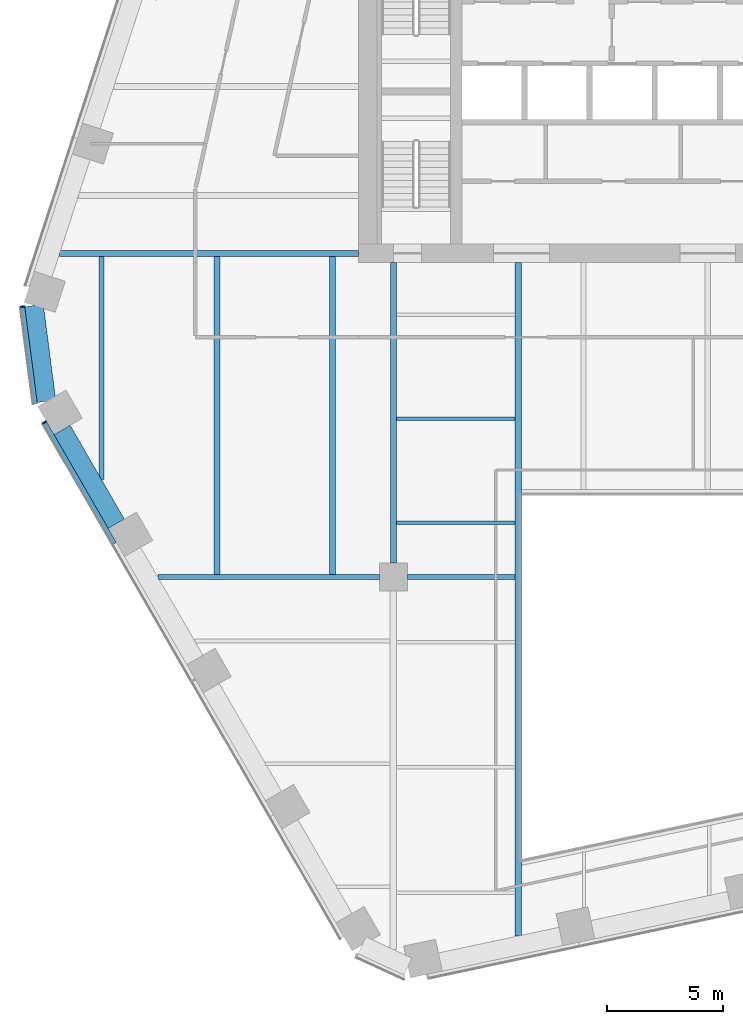
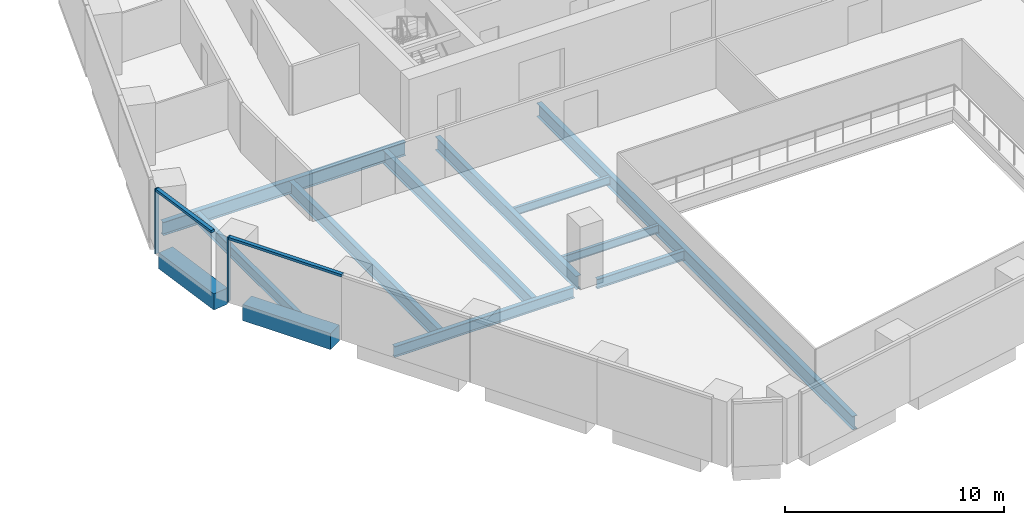
# One storey, part 3 of 16: 12 beams, 4 members, 2 elements without a shape of their own.
"""IFC4 building model written with IfcOpenShell, lengths in metres."""

from ifc_helpers import new_model, si_unit, direction, frame, origin, origin_2d, place, context, subcontext, project, spatial, rectangle, i_section, extrude, material, layer, layer_set, material_profile, profile_set, type_object, element, aggregate, save


model = new_model("IFC4")

# Units and contexts
model_context = context("Model", 3, precision=1e-05, world=origin(), true_north=direction((0.0, 1.0)))
body_context = subcontext(model_context, "Body", "Model", "MODEL_VIEW")
ifc_project = project(units=[si_unit("LENGTHUNIT", "METRE"), si_unit("AREAUNIT", "SQUARE_METRE"), si_unit("VOLUMEUNIT", "CUBIC_METRE"), si_unit("PLANEANGLEUNIT", "RADIAN"), si_unit("MASSUNIT", "GRAM", prefix="KILO")], contexts=[model_context])

# Site, building, storey
site_placement = place(None, origin())
site = spatial("IfcSite", under=ifc_project, at=site_placement, CompositionType="ELEMENT")
building_placement = place(site_placement, origin())
building = spatial("IfcBuilding", under=site, at=building_placement, Name="Isthmus Gate Tower", CompositionType="ELEMENT")
storey_placement = place(building_placement, frame((0.0, 0.0, 140.75)))
storey = spatial("IfcBuildingStorey", under=building, at=storey_placement, Name="L34", CompositionType="ELEMENT", Elevation=140.75)

# Curtain wall, member
ifc_material_1 = material(Name="Aluminium, pale champagne anodised", Category="aluminium")
ifc_layer = layer(ifc_material_1, 0.199951171875)
ifc_layer_set = layer_set([ifc_layer], Name="CW-1 UNITISED CURTAIN WALL 200 DEEP")
curtain_wall_type = type_object("IfcCurtainWallType", Name="CW-1 UNITISED CURTAIN WALL 200 DEEP", PredefinedType="NOTDEFINED", material=ifc_layer_set)
curtain_wall_1_placement = place(storey_placement, origin())
curtain_wall_1 = element("IfcCurtainWall", 1, at=curtain_wall_1_placement, inside=storey, type_object=curtain_wall_type, Name="CW-1 NW-SW L34", PredefinedType="NOTDEFINED")
ifc_material_2 = material(Name="Aluminium, pale champagne anodised", Category="aluminium")
ifc_material_profile_1 = material_profile(ifc_material_2, rectangle(XDim=0.06005859375, YDim=0.199951171875, at=origin_2d()), Name="60x200")
ifc_profile_set_1 = profile_set([ifc_material_profile_1], Name="Aluminium, pale champagne anodised")
member_type_1 = type_object("IfcMemberType", Name="CW-1 MULLION 60 X 200", PredefinedType="MULLION", material=ifc_profile_set_1)
member_1_placement = place(storey_placement, frame((-29.42724609375, -1.88525390625, 0.0), z_axis=(0.0, 0.0, 1.0), x_axis=(0.129164534, -0.991623175988, 0.0)))
member_1 = element("IfcMember", 2, at=member_1_placement, type_object=member_type_1, Name="CW-1 mullion", PredefinedType="MULLION", context=body_context, shape_type="SweptSolid", body=[
    extrude(rectangle(XDim=0.06005859375, YDim=0.199951171875, at=origin_2d()), origin(), (0.0, 0.0, 1.0), 3.64990234375),
])

curtain_wall_2_placement = place(storey_placement, origin())
curtain_wall_2 = element("IfcCurtainWall", 3, at=curtain_wall_2_placement, inside=storey, type_object=curtain_wall_type, Name="CW-1 SW L34", PredefinedType="NOTDEFINED")
member_2_placement = place(storey_placement, frame((-28.489501953125, -6.8544921875, 0.0), z_axis=(0.0, 0.0, 1.0), x_axis=(0.5, -0.866025403784, 0.0)))
member_2 = element("IfcMember", 4, at=member_2_placement, type_object=member_type_1, Name="CW-1 mullion", PredefinedType="MULLION", context=body_context, shape_type="SweptSolid", body=[
    extrude(rectangle(XDim=0.06005859375, YDim=0.199951171875, at=origin_2d()), origin(), (0.0, 0.0, 1.0), 3.64990234375),
])

# Member
ifc_material_3 = material(Name="Aluminium, pale champagne anodised", Category="aluminium")
ifc_material_profile_2 = material_profile(ifc_material_3, rectangle(XDim=0.199951171875, YDim=0.139892578125, at=origin_2d()), Name="200x140")
ifc_profile_set_2 = profile_set([ifc_material_profile_2], Name="Aluminium, pale champagne anodised")
member_type_2 = type_object("IfcMemberType", Name="CW-1 TRANSOM 200 X 140", PredefinedType="USERDEFINED", material=ifc_profile_set_2)
member_3_placement = place(storey_placement, frame((-29.42333984375, -1.9150390625, 3.580078125), z_axis=(0.129149481977, -0.991625136483, 0.0), x_axis=(0.991625136483, 0.129149481977, 0.0)))
member_3 = element("IfcMember", 5, at=member_3_placement, type_object=member_type_2, Name="CW-1 transom", ObjectType="TRANSOM", PredefinedType="USERDEFINED", context=body_context, shape_type="SweptSolid", body=[
    extrude(rectangle(XDim=0.199951171875, YDim=0.139892578125, at=origin_2d()), origin(), (0.0, 0.0, 1.0), 4.181396484375),
])

aggregate(curtain_wall_1, [member_1, member_3])

member_4_placement = place(storey_placement, frame((-28.474609375, -6.880615234375, 3.580078125), z_axis=(0.500014106551, -0.86601725921, 0.0), x_axis=(0.86601725921, 0.500014106551, 0.0)))
member_4 = element("IfcMember", 6, at=member_4_placement, type_object=member_type_2, Name="CW-1 transom", ObjectType="TRANSOM", PredefinedType="USERDEFINED", context=body_context, shape_type="SweptSolid", body=[
    extrude(rectangle(XDim=0.199951171875, YDim=0.139892578125, at=origin_2d()), origin(), (0.0, 0.0, 1.0), 5.989990234375),
])

aggregate(curtain_wall_2, [member_2, member_4])

# Beams
ifc_material_4 = material(Name="Concrete f'c 60 MPa", Category="concrete")
ifc_material_profile_3 = material_profile(ifc_material_4, rectangle(XDim=0.800048828125, YDim=0.89990234375, at=origin_2d()), Name="RC 800X900")
ifc_profile_set_3 = profile_set([ifc_material_profile_3], Name="Concrete f'c 60 MPa")
beam_type_1 = type_object("IfcBeamType", Name="RC SPANDREL 800 X 900", PredefinedType="SPANDREL", material=ifc_profile_set_3)
beam_1_placement = place(storey_placement, frame((-25.396484375, -11.2119140625, -0.449951171875), z_axis=(-0.500023913295, 0.866011596997, 0.0), x_axis=(-0.866011596997, -0.500023913295, 0.0)))
element("IfcBeam", 7, at=beam_1_placement, inside=storey, type_object=beam_type_1, Name="str-spandrel-L34-19", PredefinedType="SPANDREL", context=body_context, shape_type="SweptSolid", body=[
    extrude(rectangle(XDim=0.800048828125, YDim=0.89990234375, at=origin_2d()), origin(), (0.0, 0.0, 1.0), 4.650146484375),
])
beam_2_placement = place(storey_placement, frame((-28.392822265625, -5.955810546875, -0.449951171875), z_axis=(-0.129170777359, 0.991622362735, 0.0), x_axis=(-0.991622362735, -0.129170777359, 0.0)))
element("IfcBeam", 8, at=beam_2_placement, inside=storey, type_object=beam_type_1, Name="str-spandrel-L34-20", PredefinedType="SPANDREL", context=body_context, shape_type="SweptSolid", body=[
    extrude(rectangle(XDim=0.800048828125, YDim=0.89990234375, at=origin_2d()), origin(), (0.0, 0.0, 1.0), 4.15234375),
])
ifc_material_5 = material(Name="Structural steel ASTM A992 Gr 50", Category="steel")
ifc_material_profile_4 = material_profile(ifc_material_5, i_section(OverallWidth=0.15234375, OverallDepth=0.45068359375, WebThickness=0.0078125, FlangeThickness=0.010986328125, at=origin_2d()), Name="W18X35")
ifc_profile_set_4 = profile_set([ifc_material_profile_4], Name="Structural steel ASTM A992 Gr 50")
beam_type_2 = type_object("IfcBeamType", Name="STEEL FLOOR BEAM W18X35", PredefinedType="JOIST", material=ifc_profile_set_4)
for number, where, z_axis, x_axis, name in (
    (9, (-13.3681640625, -11.16259765625, -0.37548828125), (1.0, 0.0, 0.0), (0.0, 1.0, 0.0), "str-beam-L34-04-00"),
    (10, (-13.3681640625, -6.697509765625, -0.37548828125), (1.0, 0.0, 0.0), (0.0, 1.0, 0.0), "str-beam-L34-04-01"),
):
    element("IfcBeam", number, at=place(storey_placement, frame(where, z_axis=z_axis, x_axis=x_axis)), inside=storey, type_object=beam_type_2, Name=name, PredefinedType="JOIST", context=body_context, shape_type="SweptSolid", body=[
        extrude(i_section(OverallWidth=0.15234375, OverallDepth=0.45068359375, WebThickness=0.0078125, FlangeThickness=0.010986328125, at=origin_2d()), origin(), (0.0, 0.0, 1.0), 5.1015625),
    ])
ifc_material_6 = material(Name="Structural steel ASTM A992 Gr 50", Category="steel")
ifc_material_profile_5 = material_profile(ifc_material_6, i_section(OverallWidth=0.228515625, OverallDepth=0.603271484375, WebThickness=0.010986328125, FlangeThickness=0.014404296875, at=origin_2d()), Name="W24X68")
ifc_profile_set_5 = profile_set([ifc_material_profile_5], Name="Structural steel ASTM A992 Gr 50")
beam_type_3 = type_object("IfcBeamType", Name="STEEL FLOOR BEAM W24X68", PredefinedType="JOIST", material=ifc_profile_set_5)
beam_3_placement = place(storey_placement, frame((-26.028564453125, -9.317138671875, -0.45166015625), z_axis=(0.0, 1.0, 0.0), x_axis=(-1.0, 0.0, 0.0)))
element("IfcBeam", 11, at=beam_3_placement, inside=storey, type_object=beam_type_3, Name="str-beam-L34-00-00", PredefinedType="JOIST", context=body_context, shape_type="SweptSolid", body=[
    extrude(i_section(OverallWidth=0.228515625, OverallDepth=0.603271484375, WebThickness=0.010986328125, FlangeThickness=0.014404296875, at=origin_2d()), origin(), (0.0, 0.0, 1.0), 9.58544921875),
])
ifc_material_7 = material(Name="Structural steel ASTM A992 Gr 50", Category="steel")
ifc_material_profile_6 = material_profile(ifc_material_7, i_section(OverallWidth=0.263427734375, OverallDepth=0.749267578125, WebThickness=0.0126953125, FlangeThickness=0.015869140625, at=origin_2d()), Name="W30X90")
ifc_profile_set_6 = profile_set([ifc_material_profile_6], Name="Structural steel ASTM A992 Gr 50")
beam_type_4 = type_object("IfcBeamType", Name="STEEL FLOOR BEAM W30X90", PredefinedType="JOIST", material=ifc_profile_set_6)
for number, where, z_axis, x_axis, name in (
    (12, (-21.06982421875, -13.3857421875, -0.524658203125), (0.0, 1.0, 0.0), (-1.0, 0.0, 0.0), "str-beam-L34-00-01"),
    (13, (-16.111083984375, -13.3857421875, -0.524658203125), (0.0, 1.0, 0.0), (-1.0, 0.0, 0.0), "str-beam-L34-00-02"),
):
    element("IfcBeam", number, at=place(storey_placement, frame(where, z_axis=z_axis, x_axis=x_axis)), inside=storey, type_object=beam_type_4, Name=name, PredefinedType="JOIST", context=body_context, shape_type="SweptSolid", body=[
        extrude(i_section(OverallWidth=0.263427734375, OverallDepth=0.749267578125, WebThickness=0.0126953125, FlangeThickness=0.015869140625, at=origin_2d()), origin(), (0.0, 0.0, 1.0), 13.654052734375),
    ])
ifc_material_8 = material(Name="Structural steel ASTM A992 Gr 50", Category="steel")
ifc_material_profile_7 = material_profile(ifc_material_8, i_section(OverallWidth=0.20947265625, OverallDepth=0.533447265625, WebThickness=0.009521484375, FlangeThickness=0.015869140625, at=origin_2d()), Name="W21X62")
ifc_profile_set_7 = profile_set([ifc_material_profile_7], Name="Structural steel ASTM A992 Gr 50")
beam_type_5 = type_object("IfcBeamType", Name="STEEL GIRDER W21X62", PredefinedType="BEAM", material=ifc_profile_set_7)
beam_4_placement = place(storey_placement, frame((-12.89990234375, -13.5, -0.416748046875), z_axis=(1.0, 0.0, 0.0), x_axis=(0.0, 1.0, 0.0)))
element("IfcBeam", 14, at=beam_4_placement, inside=storey, type_object=beam_type_5, Name="str-girder-L34-02", PredefinedType="BEAM", context=body_context, shape_type="SweptSolid", body=[
    extrude(i_section(OverallWidth=0.20947265625, OverallDepth=0.533447265625, WebThickness=0.009521484375, FlangeThickness=0.015869140625, at=origin_2d()), origin(), (0.0, 0.0, 1.0), 4.63330078125),
])
ifc_material_9 = material(Name="Structural steel ASTM A992 Gr 50", Category="steel")
ifc_material_profile_8 = material_profile(ifc_material_9, i_section(OverallWidth=0.228515625, OverallDepth=0.6064453125, WebThickness=0.010986328125, FlangeThickness=0.017578125, at=origin_2d()), Name="W24X76")
ifc_profile_set_8 = profile_set([ifc_material_profile_8], Name="Structural steel ASTM A992 Gr 50")
beam_type_6 = type_object("IfcBeamType", Name="STEEL GIRDER W24X76", PredefinedType="BEAM", material=ifc_profile_set_8)
beam_5_placement = place(storey_placement, frame((-23.613525390625, -13.5, -0.453125), z_axis=(1.0, 0.0, 0.0), x_axis=(0.0, 1.0, 0.0)))
element("IfcBeam", 15, at=beam_5_placement, inside=storey, type_object=beam_type_6, Name="str-girder-L34-01", PredefinedType="BEAM", context=body_context, shape_type="SweptSolid", body=[
    extrude(i_section(OverallWidth=0.228515625, OverallDepth=0.6064453125, WebThickness=0.010986328125, FlangeThickness=0.017578125, at=origin_2d()), origin(), (0.0, 0.0, 1.0), 9.513427734375),
])
ifc_material_10 = material(Name="Structural steel ASTM A992 Gr 50", Category="steel")
ifc_material_profile_9 = material_profile(ifc_material_10, i_section(OverallWidth=0.263427734375, OverallDepth=0.749267578125, WebThickness=0.0126953125, FlangeThickness=0.015869140625, at=origin_2d()), Name="W30X90")
ifc_profile_set_9 = profile_set([ifc_material_profile_9], Name="Structural steel ASTM A992 Gr 50")
beam_type_7 = type_object("IfcBeamType", Name="STEEL GIRDER W30X90", PredefinedType="BEAM", material=ifc_profile_set_9)
beam_6_placement = place(storey_placement, frame((-13.5, -12.89990234375, -0.524658203125), z_axis=(0.0, 1.0, 0.0), x_axis=(-1.0, 0.0, 0.0)))
element("IfcBeam", 16, at=beam_6_placement, inside=storey, type_object=beam_type_7, Name="str-girder-L34-08", PredefinedType="BEAM", context=body_context, shape_type="SweptSolid", body=[
    extrude(i_section(OverallWidth=0.263427734375, OverallDepth=0.749267578125, WebThickness=0.0126953125, FlangeThickness=0.015869140625, at=origin_2d()), origin(), (0.0, 0.0, 1.0), 12.89990234375),
])
beam_7_placement = place(storey_placement, frame((-15.0, 0.39990234375, -0.524658203125), z_axis=(-1.0, 0.0, 0.0), x_axis=(0.0, -1.0, 0.0)))
element("IfcBeam", 17, at=beam_7_placement, inside=storey, type_object=beam_type_7, Name="str-girder-L34-13", PredefinedType="BEAM", context=body_context, shape_type="SweptSolid", body=[
    extrude(i_section(OverallWidth=0.263427734375, OverallDepth=0.749267578125, WebThickness=0.0126953125, FlangeThickness=0.015869140625, at=origin_2d()), origin(), (0.0, 0.0, 1.0), 12.826416015625),
])
ifc_material_11 = material(Name="Structural steel ASTM A992 Gr 50", Category="steel")
ifc_material_profile_10 = material_profile(ifc_material_11, i_section(OverallWidth=0.2666015625, OverallDepth=0.7587890625, WebThickness=0.014404296875, FlangeThickness=0.01904296875, at=origin_2d()), Name="W30X108")
ifc_profile_set_10 = profile_set([ifc_material_profile_10], Name="Structural steel ASTM A992 Gr 50")
beam_type_8 = type_object("IfcBeamType", Name="STEEL TRIMMER W30X108", PredefinedType="BEAM", material=ifc_profile_set_10)
beam_8_placement = place(storey_placement, frame((-8.13330078125, 0.0, -0.529296875), z_axis=(0.0, -1.0, 0.0), x_axis=(1.0, 0.0, 0.0)))
element("IfcBeam", 18, at=beam_8_placement, inside=storey, type_object=beam_type_8, Name="str-trimmer-L34-02", PredefinedType="BEAM", context=body_context, shape_type="SweptSolid", body=[
    extrude(i_section(OverallWidth=0.2666015625, OverallDepth=0.7587890625, WebThickness=0.014404296875, FlangeThickness=0.01904296875, at=origin_2d()), origin(), (0.0, 0.0, 1.0), 28.910888671875),
])

save(model, "model.ifc")
